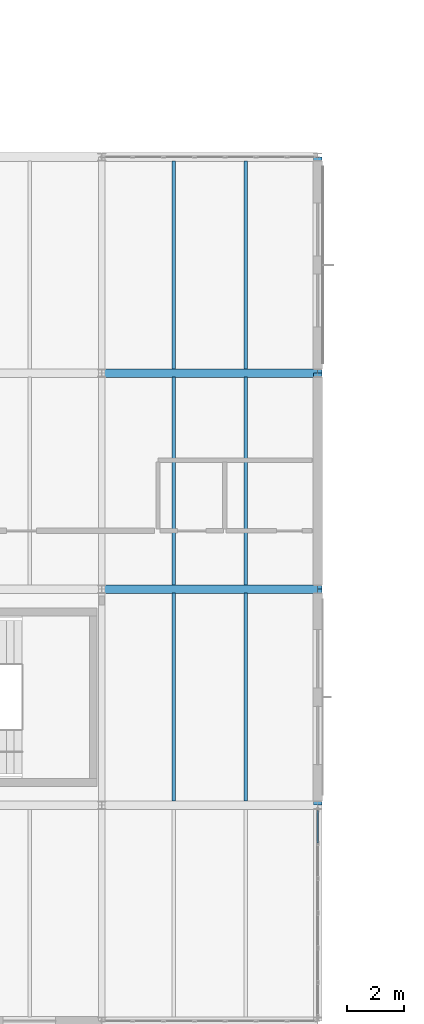
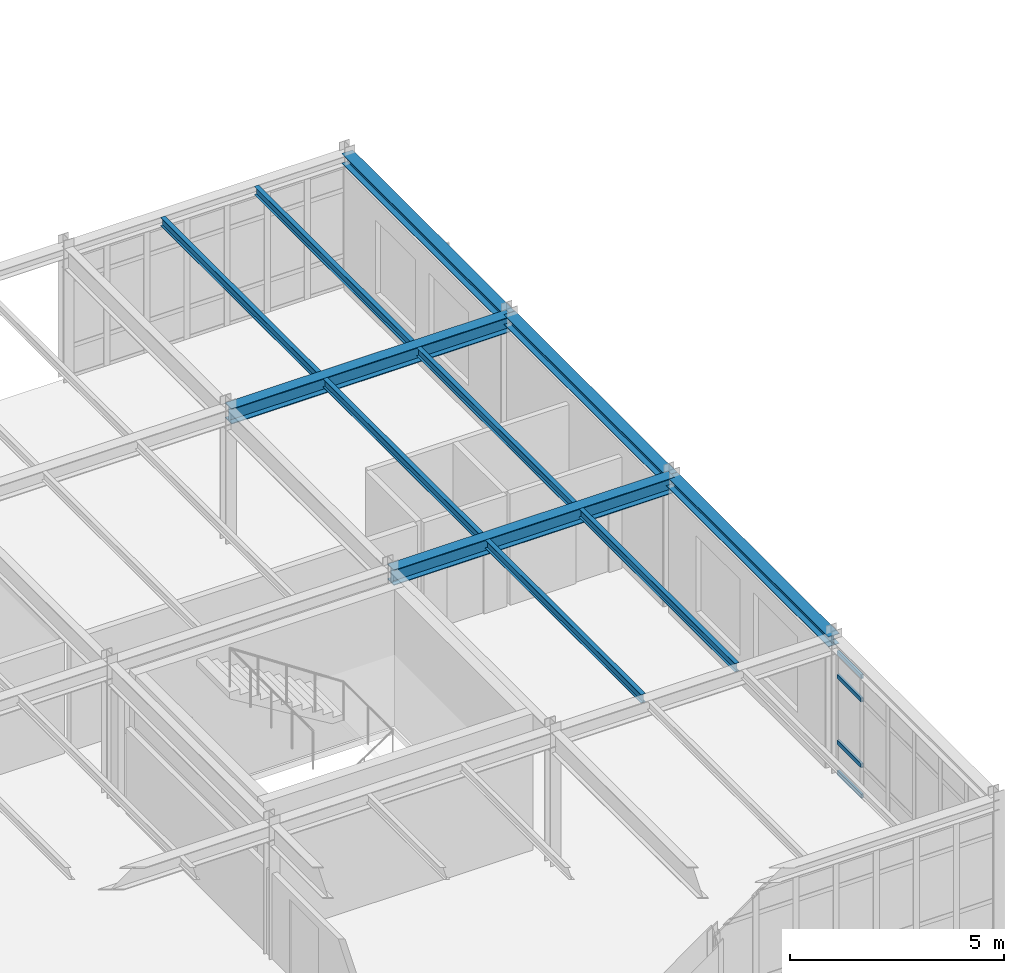
# One storey, part 37 of 165: 11 beams, 4 members, 1 element without a shape of its own.
"""IFC4 building model written with IfcOpenShell, lengths in metres."""

from ifc_helpers import new_model, si_unit, direction, frame, origin, origin_2d, place, context, subcontext, project, spatial, hollow_rectangle, i_section, extrude, material, layer, layer_set, material_profile, profile_set, type_object, element, aggregate, save


model = new_model("IFC4")

# Units and contexts
model_context = context("Model", 3, precision=1e-05, world=origin(), true_north=direction((0.0, 1.0)))
body_context = subcontext(model_context, "Body", "Model", "MODEL_VIEW")
ifc_project = project(units=[si_unit("LENGTHUNIT", "METRE"), si_unit("AREAUNIT", "SQUARE_METRE"), si_unit("VOLUMEUNIT", "CUBIC_METRE"), si_unit("PLANEANGLEUNIT", "RADIAN"), si_unit("MASSUNIT", "GRAM", prefix="KILO")], contexts=[model_context])

# Site, building, storey
site_placement = place(None, origin())
site = spatial("IfcSite", under=ifc_project, at=site_placement, CompositionType="ELEMENT")
building_placement = place(site_placement, origin())
building = spatial("IfcBuilding", under=site, at=building_placement, Name="Montecoro Central Library", CompositionType="ELEMENT")
storey_placement = place(building_placement, frame((0.0, 0.0, 5.10009765625)))
storey = spatial("IfcBuildingStorey", under=building, at=storey_placement, Name="L01", CompositionType="ELEMENT", Elevation=5.10009765625)

# Beams
ifc_material_1 = material(Name="Steel S355J2", Category="steel")
ifc_material_profile_1 = material_profile(ifc_material_1, i_section(OverallWidth=0.300048828125, OverallDepth=0.43994140625, WebThickness=0.011474609375, FlangeThickness=0.02099609375, at=origin_2d()), Name="HEA 450")
ifc_profile_set_1 = profile_set([ifc_material_profile_1], Name="Steel S355J2")
beam_type_1 = type_object("IfcBeamType", Name="BM-G-HEA450", PredefinedType="USERDEFINED", material=ifc_profile_set_1)
for number, where, z_axis, x_axis, name in (
    (1, (35.405029296875, 20.199951171875, 3.60498046875), (1.0, 0.0, 0.0), (0.0, 1.0, 0.0), "V3-L01-BX-56-C"),
    (2, (35.405029296875, 27.800048828125, 3.60498046875), (1.0, 0.0, 0.0), (0.0, 1.0, 0.0), "V3-L01-BX-56-D"),
):
    element("IfcBeam", number, at=place(storey_placement, frame(where, z_axis=z_axis, x_axis=x_axis)), inside=storey, type_object=beam_type_1, Name=name, ObjectType="GIRDER", PredefinedType="USERDEFINED", context=body_context, shape_type="SweptSolid", body=[
        extrude(i_section(OverallWidth=0.300048828125, OverallDepth=0.43994140625, WebThickness=0.011474609375, FlangeThickness=0.02099609375, at=origin_2d()), origin(), (0.0, 0.0, 1.0), 7.590087890625),
    ])
ifc_material_2 = material(Name="Steel S355", Category="steel")
ifc_material_profile_2 = material_profile(ifc_material_2, i_section(OverallWidth=0.1201171875, OverallDepth=0.239990234375, WebThickness=0.006103515625, FlangeThickness=0.009765625, at=origin_2d()), Name="IPE 240")
ifc_profile_set_2 = profile_set([ifc_material_profile_2], Name="Steel S355")
beam_type_2 = type_object("IfcBeamType", Name="BM-J-IPE240", PredefinedType="JOIST", material=ifc_profile_set_2)
for number, where, z_axis, x_axis, name in (
    (3, (37.93310546875, 12.7470703125, 3.704833984375), (0.0, 1.0, 0.0), (-1.0, 0.0, 0.0), "V3-L01-JS-56-BC-1"),
    (4, (40.467041015625, 12.7470703125, 3.704833984375), (0.0, 1.0, 0.0), (-1.0, 0.0, 0.0), "V3-L01-JS-56-BC-2"),
):
    element("IfcBeam", number, at=place(storey_placement, frame(where, z_axis=z_axis, x_axis=x_axis)), inside=storey, type_object=beam_type_2, Name=name, PredefinedType="JOIST", context=body_context, shape_type="SweptSolid", body=[
        extrude(i_section(OverallWidth=0.1201171875, OverallDepth=0.239990234375, WebThickness=0.006103515625, FlangeThickness=0.009765625, at=origin_2d()), origin(), (0.0, 0.0, 1.0), 7.305908203125),
    ])
for number, where, z_axis, x_axis, name in (
    (5, (37.93310546875, 20.346923828125, 3.704833984375), (0.0, 1.0, 0.0), (-1.0, 0.0, 0.0), "V3-L01-JS-56-CD-1"),
    (6, (40.467041015625, 20.346923828125, 3.704833984375), (0.0, 1.0, 0.0), (-1.0, 0.0, 0.0), "V3-L01-JS-56-CD-2"),
):
    element("IfcBeam", number, at=place(storey_placement, frame(where, z_axis=z_axis, x_axis=x_axis)), inside=storey, type_object=beam_type_2, Name=name, PredefinedType="JOIST", context=body_context, shape_type="SweptSolid", body=[
        extrude(i_section(OverallWidth=0.1201171875, OverallDepth=0.239990234375, WebThickness=0.006103515625, FlangeThickness=0.009765625, at=origin_2d()), origin(), (0.0, 0.0, 1.0), 7.30615234375),
    ])
for number, where, z_axis, x_axis, name in (
    (7, (37.93310546875, 27.947021484375, 3.704833984375), (0.0, 1.0, 0.0), (-1.0, 0.0, 0.0), "V3-L01-JS-56-DE-1"),
    (8, (40.467041015625, 27.947021484375, 3.704833984375), (0.0, 1.0, 0.0), (-1.0, 0.0, 0.0), "V3-L01-JS-56-DE-2"),
):
    element("IfcBeam", number, at=place(storey_placement, frame(where, z_axis=z_axis, x_axis=x_axis)), inside=storey, type_object=beam_type_2, Name=name, PredefinedType="JOIST", context=body_context, shape_type="SweptSolid", body=[
        extrude(i_section(OverallWidth=0.1201171875, OverallDepth=0.239990234375, WebThickness=0.006103515625, FlangeThickness=0.009765625, at=origin_2d()), origin(), (0.0, 0.0, 1.0), 7.305908203125),
    ])
ifc_material_profile_3 = material_profile(ifc_material_2, i_section(OverallWidth=0.300048828125, OverallDepth=0.2900390625, WebThickness=0.008544921875, FlangeThickness=0.013916015625, at=origin_2d()), Name="HEA 300")
ifc_profile_set_3 = profile_set([ifc_material_profile_3], Name="Steel S355")
beam_type_3 = type_object("IfcBeamType", Name="BM-SP-HEA300", PredefinedType="SPANDREL", material=ifc_profile_set_3)
beam_1_placement = place(storey_placement, frame((43.0, 12.60498046875, 3.679931640625), z_axis=(0.0, 1.0, 0.0), x_axis=(-1.0, 0.0, 0.0)))
element("IfcBeam", 9, at=beam_1_placement, inside=storey, type_object=beam_type_3, Name="V3-L01-BY-6-BC", PredefinedType="SPANDREL", context=body_context, shape_type="SweptSolid", body=[
    extrude(i_section(OverallWidth=0.300048828125, OverallDepth=0.2900390625, WebThickness=0.008544921875, FlangeThickness=0.013916015625, at=origin_2d()), origin(), (0.0, 0.0, 1.0), 7.590087890625),
])
beam_2_placement = place(storey_placement, frame((43.0, 20.205078125, 3.679931640625), z_axis=(0.0, 1.0, 0.0), x_axis=(-1.0, 0.0, 0.0)))
element("IfcBeam", 10, at=beam_2_placement, inside=storey, type_object=beam_type_3, Name="V3-L01-BY-6-CD", PredefinedType="SPANDREL", context=body_context, shape_type="SweptSolid", body=[
    extrude(i_section(OverallWidth=0.300048828125, OverallDepth=0.2900390625, WebThickness=0.008544921875, FlangeThickness=0.013916015625, at=origin_2d()), origin(), (0.0, 0.0, 1.0), 7.58984375),
])
beam_3_placement = place(storey_placement, frame((43.0, 27.804931640625, 3.679931640625), z_axis=(0.0, 1.0, 0.0), x_axis=(-1.0, 0.0, 0.0)))
element("IfcBeam", 11, at=beam_3_placement, inside=storey, type_object=beam_type_3, Name="V3-L01-BY-6-DE", PredefinedType="SPANDREL", context=body_context, shape_type="SweptSolid", body=[
    extrude(i_section(OverallWidth=0.300048828125, OverallDepth=0.2900390625, WebThickness=0.008544921875, FlangeThickness=0.013916015625, at=origin_2d()), origin(), (0.0, 0.0, 1.0), 7.590087890625),
])

# Curtain wall, members
ifc_material_3 = material(Name="Bronze-anodised aluminium and low-E glazing", Category="aluminium")
ifc_layer = layer(ifc_material_3, 0.159912109375)
ifc_layer_set = layer_set([ifc_layer], Name="Bronze-anodised aluminium and low-E glazing")
curtain_wall_type = type_object("IfcCurtainWallType", Name="CWT-030", PredefinedType="NOTDEFINED", material=ifc_layer_set)
curtain_wall_placement = place(storey_placement, origin())
curtain_wall = element("IfcCurtainWall", 12, at=curtain_wall_placement, inside=storey, type_object=curtain_wall_type, Name="V3-L01-CW-E0", PredefinedType="NOTDEFINED")
ifc_material_4 = material(Name="Bronze-anodised aluminium", Category="aluminium")
ifc_material_profile_4 = material_profile(ifc_material_4, hollow_rectangle(XDim=0.06005859375, YDim=0.1201171875, WallThickness=0.00390625, at=origin_2d()), Name="CWT 120x60x4.0")
ifc_profile_set_4 = profile_set([ifc_material_profile_4], Name="Bronze-anodised aluminium")
member_type = type_object("IfcMemberType", Name="CWT-BRZ-60", PredefinedType="USERDEFINED", material=ifc_profile_set_4)
member_1_placement = place(storey_placement, frame((43.0, 11.271240234375, 0.02978515625), z_axis=(0.0, 1.0, 0.0), x_axis=(-1.0, 0.0, 0.0)))
member_1 = element("IfcMember", 13, at=member_1_placement, type_object=member_type, Name="CW-030 transom 6.1", ObjectType="TRANSOM", PredefinedType="USERDEFINED", context=body_context, shape_type="SweptSolid", body=[
    extrude(hollow_rectangle(XDim=0.06005859375, YDim=0.1201171875, WallThickness=0.00390625, at=origin_2d()), origin(), (0.0, 0.0, 1.0), 1.130859375),
])
member_2_placement = place(storey_placement, frame((43.0, 11.271240234375, 0.89990234375), z_axis=(0.0, 1.0, 0.0), x_axis=(-1.0, 0.0, 0.0)))
member_2 = element("IfcMember", 14, at=member_2_placement, type_object=member_type, Name="CW-030 transom 6.2", ObjectType="TRANSOM", PredefinedType="USERDEFINED", context=body_context, shape_type="SweptSolid", body=[
    extrude(hollow_rectangle(XDim=0.06005859375, YDim=0.1201171875, WallThickness=0.00390625, at=origin_2d()), origin(), (0.0, 0.0, 1.0), 1.130859375),
])
member_3_placement = place(storey_placement, frame((43.0, 11.271240234375, 2.77978515625), z_axis=(0.0, 1.0, 0.0), x_axis=(-1.0, 0.0, 0.0)))
member_3 = element("IfcMember", 15, at=member_3_placement, type_object=member_type, Name="CW-030 transom 6.3", ObjectType="TRANSOM", PredefinedType="USERDEFINED", context=body_context, shape_type="SweptSolid", body=[
    extrude(hollow_rectangle(XDim=0.06005859375, YDim=0.1201171875, WallThickness=0.00390625, at=origin_2d()), origin(), (0.0, 0.0, 1.0), 1.130859375),
])
member_4_placement = place(storey_placement, frame((43.0, 11.271240234375, 3.449951171875), z_axis=(0.0, 1.0, 0.0), x_axis=(-1.0, 0.0, 0.0)))
member_4 = element("IfcMember", 16, at=member_4_placement, type_object=member_type, Name="CW-030 transom 6.4", ObjectType="TRANSOM", PredefinedType="USERDEFINED", context=body_context, shape_type="SweptSolid", body=[
    extrude(hollow_rectangle(XDim=0.06005859375, YDim=0.1201171875, WallThickness=0.00390625, at=origin_2d()), origin(), (0.0, 0.0, 1.0), 1.130859375),
])
aggregate(curtain_wall, [member_1, member_2, member_3, member_4])

save(model, "model.ifc")
